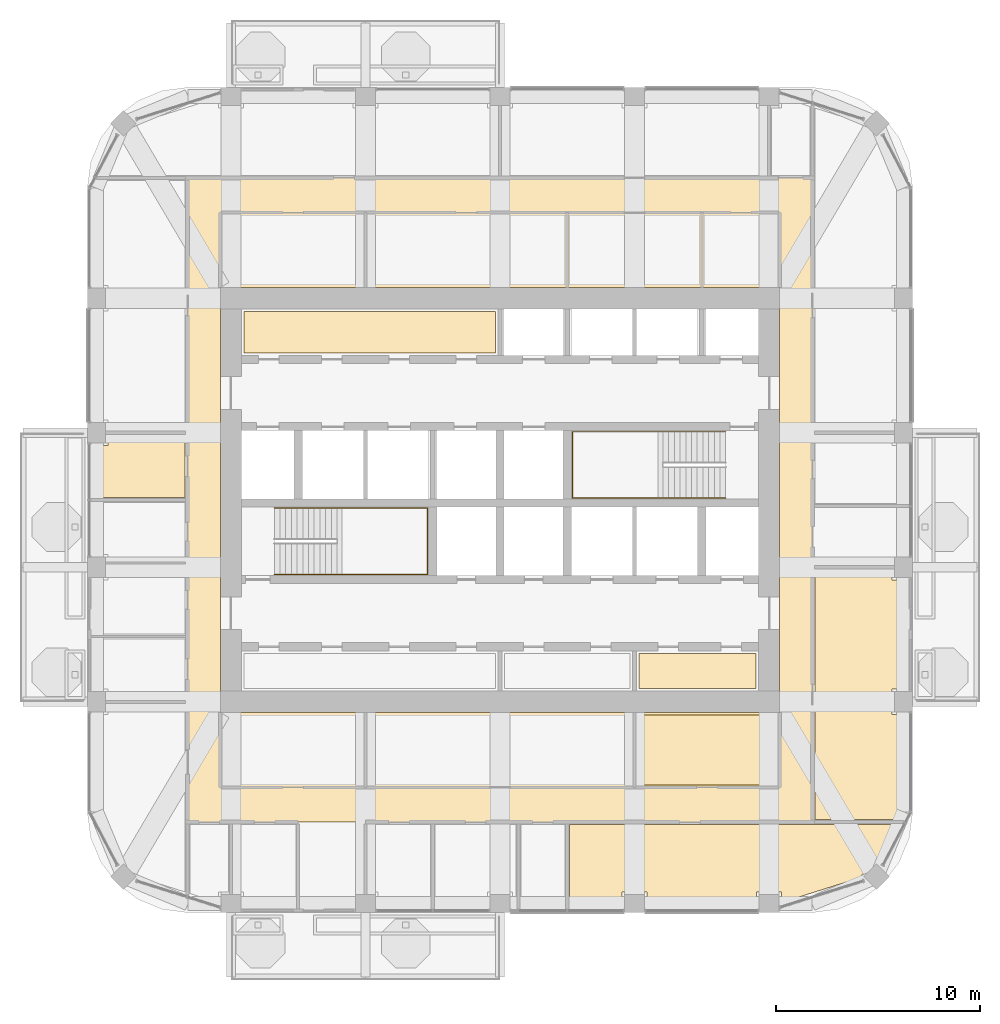
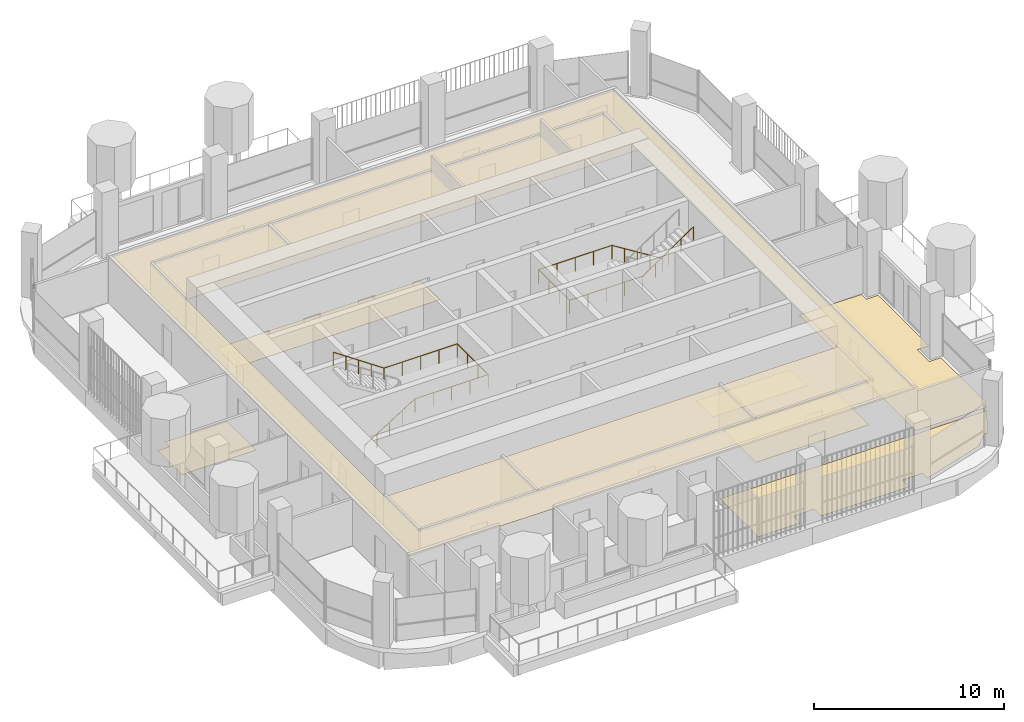
# One storey, part 17 of 19: 7 coverings, 2 railings.
"""IFC4 building model written with IfcOpenShell, lengths in metres."""

from ifc_helpers import new_model, si_unit, direction, frame, origin, place, context, subcontext, project, spatial, polyline, outline, extrude, material, layer, layer_set, type_object, element, save


model = new_model("IFC4")

# Units and contexts
model_context = context("Model", 3, precision=1e-05, world=origin(), true_north=direction((0.0, 1.0)))
body_context = subcontext(model_context, "Body", "Model", "MODEL_VIEW")
ifc_project = project(units=[si_unit("LENGTHUNIT", "METRE"), si_unit("AREAUNIT", "SQUARE_METRE"), si_unit("VOLUMEUNIT", "CUBIC_METRE"), si_unit("PLANEANGLEUNIT", "RADIAN"), si_unit("MASSUNIT", "GRAM", prefix="KILO")], contexts=[model_context])

# Site, building, storey
site_placement = place(None, origin())
site = spatial("IfcSite", under=ifc_project, at=site_placement, CompositionType="ELEMENT")
building_placement = place(site_placement, origin())
building = spatial("IfcBuilding", under=site, at=building_placement, Name="Cobogo Forest Laboratory Tower", CompositionType="ELEMENT")
storey_placement = place(building_placement, frame((0.0, 0.0, 262.800048828125)))
storey = spatial("IfcBuildingStorey", under=building, at=storey_placement, Name="L60", CompositionType="ELEMENT", Elevation=262.800048828125)

# Coverings
ifc_material_1 = material(Name="Mineral fibre ceiling tile", Category="ceiling")
ifc_layer_1 = layer(ifc_material_1, 0.02001953125)
ifc_layer_set_1 = layer_set([ifc_layer_1], Name="CL1 suspended ceiling")
covering_type_1 = type_object("IfcCoveringType", Name="CL1 suspended ceiling", PredefinedType="CEILING", material=ifc_layer_set_1)
covering_1_placement = place(storey_placement, frame((0.0, 0.0, 2.800048828125)))
element("IfcCovering", 1, at=covering_1_placement, inside=storey, type_object=covering_type_1, Name="Corridor ceiling L60", PredefinedType="CEILING", context=body_context, shape_type="SweptSolid", body=[
    extrude(outline(polyline([(11.074951171875, 7.300048828125), (11.074951171875, 38.89990234375), (41.72509765625, 38.89990234375), (41.72509765625, 7.300048828125), (11.074951171875, 7.300048828125)]), holes=[polyline([(40.125, 33.52490234375), (12.675048828125, 33.52490234375), (12.675048828125, 12.675048828125), (40.125, 12.675048828125), (40.125, 33.52490234375)])]), origin(), (0.0, 0.0, 1.0), 0.02001953125),
])
ifc_material_2 = material(Name="Carpet tile on raised access floor", Category="flooring")
ifc_layer_2 = layer(ifc_material_2, 0.008056640625)
ifc_layer_set_2 = layer_set([ifc_layer_2], Name="CT1 carpet tile floor 8")
covering_type_2 = type_object("IfcCoveringType", Name="CT1 carpet tile floor 8", PredefinedType="FLOORING", material=ifc_layer_set_2)
covering_2_placement = place(storey_placement, origin())
element("IfcCovering", 2, at=covering_2_placement, inside=storey, type_object=covering_type_2, Name="Carpet floor L60-07", PredefinedType="FLOORING", context=body_context, shape_type="SweptSolid", body=[
    extrude(outline(polyline([(40.0048828125, 9.1201171875), (33.1201171875, 9.1201171875), (33.1201171875, 12.554931640625), (40.0048828125, 12.554931640625), (40.0048828125, 9.1201171875)])), origin(), (0.0, 0.0, 1.0), 0.008056640625),
])
covering_3_placement = place(storey_placement, origin())
element("IfcCovering", 3, at=covering_3_placement, inside=storey, type_object=covering_type_2, Name="Carpet floor L60-13", PredefinedType="FLOORING", context=body_context, shape_type="SweptSolid", body=[
    extrude(outline(polyline([(44.10986328125, 4.583984375), (40.219970703125, 3.35546875), (40.219970703125, 3.8701171875), (38.97998046875, 3.8701171875), (38.97998046875, 3.14990234375), (33.6201171875, 3.14990234375), (33.6201171875, 3.8701171875), (32.3798828125, 3.8701171875), (32.3798828125, 3.14990234375), (29.820068359375, 3.14990234375), (29.820068359375, 7.179931640625), (45.999267578125, 7.179931640625), (45.010986328125, 5.294921875), (44.882080078125, 5.424072265625), (44.075927734375, 4.617919921875), (44.10986328125, 4.583984375)])), origin(), (0.0, 0.0, 1.0), 0.008056640625),
])
covering_4_placement = place(storey_placement, origin())
element("IfcCovering", 4, at=covering_4_placement, inside=storey, type_object=covering_type_2, Name="Carpet floor L60-14", PredefinedType="FLOORING", context=body_context, shape_type="SweptSolid", body=[
    extrude(outline(polyline([(41.844970703125, 19.679931640625), (45.6298828125, 19.679931640625), (45.6298828125, 19.179931640625), (46.35009765625, 19.179931640625), (46.35009765625, 13.820068359375), (45.6298828125, 13.820068359375), (45.6298828125, 12.580078125), (46.35009765625, 12.580078125), (46.35009765625, 7.84912109375), (46.125, 7.419921875), (41.844970703125, 7.419921875), (41.844970703125, 19.679931640625)])), origin(), (0.0, 0.0, 1.0), 0.008056640625),
])
covering_5_placement = place(storey_placement, origin())
element("IfcCovering", 5, at=covering_5_placement, inside=storey, type_object=covering_type_2, Name="Carpet floor L60-25", PredefinedType="FLOORING", context=body_context, shape_type="SweptSolid", body=[
    extrude(outline(polyline([(10.955078125, 23.219970703125), (6.449951171875, 23.219970703125), (6.449951171875, 25.780029296875), (7.169921875, 25.780029296875), (7.169921875, 26.280029296875), (10.955078125, 26.280029296875), (10.955078125, 23.219970703125)])), origin(), (0.0, 0.0, 1.0), 0.008056640625),
])
covering_6_placement = place(storey_placement, origin())
element("IfcCovering", 6, at=covering_6_placement, inside=storey, type_object=covering_type_2, Name="Carpet floor L60-37", PredefinedType="FLOORING", context=body_context, shape_type="SweptSolid", body=[
    extrude(outline(polyline([(26.179931640625, 30.320068359375), (13.844970703125, 30.320068359375), (13.844970703125, 32.35498046875), (26.179931640625, 32.35498046875), (26.179931640625, 30.320068359375)])), origin(), (0.0, 0.0, 1.0), 0.008056640625),
])

# Railings
ifc_material_3 = material(Name="Stainless steel handrail", Category="steel")
railing_type = type_object("IfcRailingType", Name="HR handrail 900", PredefinedType="HANDRAIL", material=ifc_material_3)
railing_1_placement = place(storey_placement, frame((15.324951171875, 19.449951171875, 0.175048828125)))
element("IfcRailing", 7, at=railing_1_placement, inside=storey, type_object=railing_type, Name="Stair handrail ST1 L60", PredefinedType="HANDRAIL", context=body_context, shape_type="SweptSolid", body=[
    extrude(outline(polyline([(0.022216796875, 0.00927734375), (0.00927734375, 0.022216796875), (-0.00927734375, 0.022216796875), (-0.022216796875, 0.00927734375), (-0.022216796875, -0.00927734375), (-0.00927734375, -0.022216796875), (0.00927734375, -0.022216796875), (0.022216796875, -0.00927734375), (0.022216796875, 0.00927734375)])), frame((0.0, 0.0, 0.877685546875), z_axis=(0.848028513186, 0.0, 0.529950602248), x_axis=(0.0, 1.0, 0.0)), (0.0, 0.0, 1.0), 3.632080078125),
    extrude(outline(polyline([(0.022216796875, 0.00927734375), (0.00927734375, 0.022216796875), (-0.00927734375, 0.022216796875), (-0.022216796875, 0.00927734375), (-0.022216796875, -0.00927734375), (-0.00927734375, -0.022216796875), (0.00927734375, -0.022216796875), (0.022216796875, -0.00927734375), (0.022216796875, 0.00927734375)])), frame((3.080078125, 0.0, 2.802490234375), z_axis=(1.0, 0.0, 0.0), x_axis=(0.0, 1.0, 0.0)), (0.0, 0.0, 1.0), 4.445068359375),
    extrude(outline(polyline([(0.022216796875, 0.00927734375), (0.00927734375, 0.022216796875), (-0.00927734375, 0.022216796875), (-0.022216796875, 0.00927734375), (-0.022216796875, -0.00927734375), (-0.00927734375, -0.022216796875), (0.00927734375, -0.022216796875), (0.022216796875, -0.00927734375), (0.022216796875, 0.00927734375)])), frame((7.525146484375, 0.0, 2.802490234375), z_axis=(0.0, 1.0, 0.0), x_axis=(-1.0, 0.0, 0.0)), (0.0, 0.0, 1.0), 3.25),
    extrude(outline(polyline([(0.022216796875, 0.00927734375), (0.00927734375, 0.022216796875), (-0.00927734375, 0.022216796875), (-0.022216796875, 0.00927734375), (-0.022216796875, -0.00927734375), (-0.00927734375, -0.022216796875), (0.00927734375, -0.022216796875), (0.022216796875, -0.00927734375), (0.022216796875, 0.00927734375)])), frame((7.525146484375, 3.25, 2.802490234375), z_axis=(-1.0, 0.0, 0.0), x_axis=(0.0, -1.0, 0.0)), (0.0, 0.0, 1.0), 4.445068359375),
    extrude(outline(polyline([(0.022216796875, 0.00927734375), (0.00927734375, 0.022216796875), (-0.00927734375, 0.022216796875), (-0.022216796875, 0.00927734375), (-0.022216796875, -0.00927734375), (-0.00927734375, -0.022216796875), (0.00927734375, -0.022216796875), (0.022216796875, -0.00927734375), (0.022216796875, 0.00927734375)])), frame((3.080078125, 3.25, 2.802490234375), z_axis=(-0.826221800596, 0.0, 0.563344953133), x_axis=(0.0, -1.0, 0.0)), (0.0, 0.0, 1.0), 3.72802734375),
    extrude(outline(polyline([(0.019287109375, 0.008056640625), (0.008056640625, 0.019287109375), (-0.008056640625, 0.019287109375), (-0.019287109375, 0.008056640625), (-0.019287109375, -0.008056640625), (-0.008056640625, -0.019287109375), (0.008056640625, -0.019287109375), (0.019287109375, -0.008056640625), (0.019287109375, 0.008056640625)])), origin(), (0.0, 0.0, 1.0), 0.877685546875),
    extrude(outline(polyline([(0.019287109375, 0.008056640625), (0.008056640625, 0.019287109375), (-0.008056640625, 0.019287109375), (-0.019287109375, 0.008056640625), (-0.019287109375, -0.008056640625), (-0.008056640625, -0.019287109375), (0.008056640625, -0.019287109375), (0.019287109375, -0.008056640625), (0.019287109375, 0.008056640625)])), frame((0.77001953125, 0.0, 0.481201171875)), (0.0, 0.0, 1.0), 0.877685546875),
    extrude(outline(polyline([(0.019287109375, 0.008056640625), (0.008056640625, 0.019287109375), (-0.008056640625, 0.019287109375), (-0.019287109375, 0.008056640625), (-0.019287109375, -0.008056640625), (-0.008056640625, -0.019287109375), (0.008056640625, -0.019287109375), (0.019287109375, -0.008056640625), (0.019287109375, 0.008056640625)])), frame((1.5400390625, 0.0, 0.96240234375)), (0.0, 0.0, 1.0), 0.877685546875),
    extrude(outline(polyline([(0.019287109375, 0.008056640625), (0.008056640625, 0.019287109375), (-0.008056640625, 0.019287109375), (-0.019287109375, 0.008056640625), (-0.019287109375, -0.008056640625), (-0.008056640625, -0.019287109375), (0.008056640625, -0.019287109375), (0.019287109375, -0.008056640625), (0.019287109375, 0.008056640625)])), frame((2.31005859375, 0.0, 1.443603515625)), (0.0, 0.0, 1.0), 0.877685546875),
    extrude(outline(polyline([(0.019287109375, 0.008056640625), (0.008056640625, 0.019287109375), (-0.008056640625, 0.019287109375), (-0.019287109375, 0.008056640625), (-0.019287109375, -0.008056640625), (-0.008056640625, -0.019287109375), (0.008056640625, -0.019287109375), (0.019287109375, -0.008056640625), (0.019287109375, 0.008056640625)])), frame((3.080078125, 0.0, 1.9248046875)), (0.0, 0.0, 1.0), 0.877685546875),
    extrude(outline(polyline([(0.019287109375, 0.008056640625), (0.008056640625, 0.019287109375), (-0.008056640625, 0.019287109375), (-0.019287109375, 0.008056640625), (-0.019287109375, -0.008056640625), (-0.008056640625, -0.019287109375), (0.008056640625, -0.019287109375), (0.019287109375, -0.008056640625), (0.019287109375, 0.008056640625)])), frame((4.19140625, 0.0, 1.9248046875)), (0.0, 0.0, 1.0), 0.877685546875),
    extrude(outline(polyline([(0.019287109375, 0.008056640625), (0.008056640625, 0.019287109375), (-0.008056640625, 0.019287109375), (-0.019287109375, 0.008056640625), (-0.019287109375, -0.008056640625), (-0.008056640625, -0.019287109375), (0.008056640625, -0.019287109375), (0.019287109375, -0.008056640625), (0.019287109375, 0.008056640625)])), frame((5.302734375, 0.0, 1.9248046875)), (0.0, 0.0, 1.0), 0.877685546875),
    extrude(outline(polyline([(0.019287109375, 0.008056640625), (0.008056640625, 0.019287109375), (-0.008056640625, 0.019287109375), (-0.019287109375, 0.008056640625), (-0.019287109375, -0.008056640625), (-0.008056640625, -0.019287109375), (0.008056640625, -0.019287109375), (0.019287109375, -0.008056640625), (0.019287109375, 0.008056640625)])), frame((6.413818359375, 0.0, 1.9248046875)), (0.0, 0.0, 1.0), 0.877685546875),
    extrude(outline(polyline([(0.019287109375, 0.008056640625), (0.008056640625, 0.019287109375), (-0.008056640625, 0.019287109375), (-0.019287109375, 0.008056640625), (-0.019287109375, -0.008056640625), (-0.008056640625, -0.019287109375), (0.008056640625, -0.019287109375), (0.019287109375, -0.008056640625), (0.019287109375, 0.008056640625)])), frame((7.525146484375, 0.0, 1.9248046875)), (0.0, 0.0, 1.0), 0.877685546875),
    extrude(outline(polyline([(0.019287109375, 0.008056640625), (0.008056640625, 0.019287109375), (-0.008056640625, 0.019287109375), (-0.019287109375, 0.008056640625), (-0.019287109375, -0.008056640625), (-0.008056640625, -0.019287109375), (0.008056640625, -0.019287109375), (0.019287109375, -0.008056640625), (0.019287109375, 0.008056640625)])), frame((7.525146484375, 1.083251953125, 1.9248046875)), (0.0, 0.0, 1.0), 0.877685546875),
    extrude(outline(polyline([(0.019287109375, 0.008056640625), (0.008056640625, 0.019287109375), (-0.008056640625, 0.019287109375), (-0.019287109375, 0.008056640625), (-0.019287109375, -0.008056640625), (-0.008056640625, -0.019287109375), (0.008056640625, -0.019287109375), (0.019287109375, -0.008056640625), (0.019287109375, 0.008056640625)])), frame((7.525146484375, 2.166748046875, 1.9248046875)), (0.0, 0.0, 1.0), 0.877685546875),
    extrude(outline(polyline([(0.019287109375, 0.008056640625), (0.008056640625, 0.019287109375), (-0.008056640625, 0.019287109375), (-0.019287109375, 0.008056640625), (-0.019287109375, -0.008056640625), (-0.008056640625, -0.019287109375), (0.008056640625, -0.019287109375), (0.019287109375, -0.008056640625), (0.019287109375, 0.008056640625)])), frame((7.525146484375, 3.25, 1.9248046875)), (0.0, 0.0, 1.0), 0.877685546875),
    extrude(outline(polyline([(0.019287109375, 0.008056640625), (0.008056640625, 0.019287109375), (-0.008056640625, 0.019287109375), (-0.019287109375, 0.008056640625), (-0.019287109375, -0.008056640625), (-0.008056640625, -0.019287109375), (0.008056640625, -0.019287109375), (0.019287109375, -0.008056640625), (0.019287109375, 0.008056640625)])), frame((6.413818359375, 3.25, 1.9248046875)), (0.0, 0.0, 1.0), 0.877685546875),
    extrude(outline(polyline([(0.019287109375, 0.008056640625), (0.008056640625, 0.019287109375), (-0.008056640625, 0.019287109375), (-0.019287109375, 0.008056640625), (-0.019287109375, -0.008056640625), (-0.008056640625, -0.019287109375), (0.008056640625, -0.019287109375), (0.019287109375, -0.008056640625), (0.019287109375, 0.008056640625)])), frame((5.302734375, 3.25, 1.9248046875)), (0.0, 0.0, 1.0), 0.877685546875),
    extrude(outline(polyline([(0.019287109375, 0.008056640625), (0.008056640625, 0.019287109375), (-0.008056640625, 0.019287109375), (-0.019287109375, 0.008056640625), (-0.019287109375, -0.008056640625), (-0.008056640625, -0.019287109375), (0.008056640625, -0.019287109375), (0.019287109375, -0.008056640625), (0.019287109375, 0.008056640625)])), frame((4.19140625, 3.25, 1.9248046875)), (0.0, 0.0, 1.0), 0.877685546875),
    extrude(outline(polyline([(0.019287109375, 0.008056640625), (0.008056640625, 0.019287109375), (-0.008056640625, 0.019287109375), (-0.019287109375, 0.008056640625), (-0.019287109375, -0.008056640625), (-0.008056640625, -0.019287109375), (0.008056640625, -0.019287109375), (0.019287109375, -0.008056640625), (0.019287109375, 0.008056640625)])), frame((3.080078125, 3.25, 1.9248046875)), (0.0, 0.0, 1.0), 0.877685546875),
    extrude(outline(polyline([(0.019287109375, 0.008056640625), (0.008056640625, 0.019287109375), (-0.008056640625, 0.019287109375), (-0.019287109375, 0.008056640625), (-0.019287109375, -0.008056640625), (-0.008056640625, -0.019287109375), (0.008056640625, -0.019287109375), (0.019287109375, -0.008056640625), (0.019287109375, 0.008056640625)])), frame((2.31005859375, 3.25, 2.44970703125)), (0.0, 0.0, 1.0), 0.877685546875),
    extrude(outline(polyline([(0.019287109375, 0.008056640625), (0.008056640625, 0.019287109375), (-0.008056640625, 0.019287109375), (-0.019287109375, 0.008056640625), (-0.019287109375, -0.008056640625), (-0.008056640625, -0.019287109375), (0.008056640625, -0.019287109375), (0.019287109375, -0.008056640625), (0.019287109375, 0.008056640625)])), frame((1.5400390625, 3.25, 2.974853515625)), (0.0, 0.0, 1.0), 0.877685546875),
    extrude(outline(polyline([(0.019287109375, 0.008056640625), (0.008056640625, 0.019287109375), (-0.008056640625, 0.019287109375), (-0.019287109375, 0.008056640625), (-0.019287109375, -0.008056640625), (-0.008056640625, -0.019287109375), (0.008056640625, -0.019287109375), (0.019287109375, -0.008056640625), (0.019287109375, 0.008056640625)])), frame((0.77001953125, 3.25, 3.5)), (0.0, 0.0, 1.0), 0.877685546875),
    extrude(outline(polyline([(0.019287109375, 0.008056640625), (0.008056640625, 0.019287109375), (-0.008056640625, 0.019287109375), (-0.019287109375, 0.008056640625), (-0.019287109375, -0.008056640625), (-0.008056640625, -0.019287109375), (0.008056640625, -0.019287109375), (0.019287109375, -0.008056640625), (0.019287109375, 0.008056640625)])), frame((0.0, 3.25, 4.02490234375)), (0.0, 0.0, 1.0), 0.877685546875),
])
railing_2_placement = place(storey_placement, frame((37.47509765625, 26.449951171875, 0.175048828125)))
element("IfcRailing", 8, at=railing_2_placement, inside=storey, type_object=railing_type, Name="Stair handrail ST2 L60", PredefinedType="HANDRAIL", context=body_context, shape_type="SweptSolid", body=[
    extrude(outline(polyline([(0.022216796875, 0.00927734375), (0.00927734375, 0.022216796875), (-0.00927734375, 0.022216796875), (-0.022216796875, 0.00927734375), (-0.022216796875, -0.00927734375), (-0.00927734375, -0.022216796875), (0.00927734375, -0.022216796875), (0.022216796875, -0.00927734375), (0.022216796875, 0.00927734375)])), frame((0.0, 0.0, 0.877685546875), z_axis=(-0.848028513186, 0.0, 0.529950602248), x_axis=(0.0, -1.0, 0.0)), (0.0, 0.0, 1.0), 3.632080078125),
    extrude(outline(polyline([(0.022216796875, 0.00927734375), (0.00927734375, 0.022216796875), (-0.00927734375, 0.022216796875), (-0.022216796875, 0.00927734375), (-0.022216796875, -0.00927734375), (-0.00927734375, -0.022216796875), (0.00927734375, -0.022216796875), (0.022216796875, -0.00927734375), (0.022216796875, 0.00927734375)])), frame((-3.080078125, 0.0, 2.802490234375), z_axis=(-1.0, 0.0, 0.0), x_axis=(0.0, -1.0, 0.0)), (0.0, 0.0, 1.0), 4.445068359375),
    extrude(outline(polyline([(0.022216796875, 0.00927734375), (0.00927734375, 0.022216796875), (-0.00927734375, 0.022216796875), (-0.022216796875, 0.00927734375), (-0.022216796875, -0.00927734375), (-0.00927734375, -0.022216796875), (0.00927734375, -0.022216796875), (0.022216796875, -0.00927734375), (0.022216796875, 0.00927734375)])), frame((-7.525146484375, 0.0, 2.802490234375), z_axis=(0.0, -1.0, 0.0), x_axis=(1.0, 0.0, 0.0)), (0.0, 0.0, 1.0), 3.25),
    extrude(outline(polyline([(0.022216796875, 0.00927734375), (0.00927734375, 0.022216796875), (-0.00927734375, 0.022216796875), (-0.022216796875, 0.00927734375), (-0.022216796875, -0.00927734375), (-0.00927734375, -0.022216796875), (0.00927734375, -0.022216796875), (0.022216796875, -0.00927734375), (0.022216796875, 0.00927734375)])), frame((-7.525146484375, -3.25, 2.802490234375), z_axis=(1.0, 0.0, 0.0), x_axis=(0.0, 1.0, 0.0)), (0.0, 0.0, 1.0), 4.445068359375),
    extrude(outline(polyline([(0.022216796875, 0.00927734375), (0.00927734375, 0.022216796875), (-0.00927734375, 0.022216796875), (-0.022216796875, 0.00927734375), (-0.022216796875, -0.00927734375), (-0.00927734375, -0.022216796875), (0.00927734375, -0.022216796875), (0.022216796875, -0.00927734375), (0.022216796875, 0.00927734375)])), frame((-3.080078125, -3.25, 2.802490234375), z_axis=(0.826221800596, 0.0, 0.563344953133), x_axis=(0.0, 1.0, 0.0)), (0.0, 0.0, 1.0), 3.72802734375),
    extrude(outline(polyline([(0.019287109375, 0.008056640625), (0.008056640625, 0.019287109375), (-0.008056640625, 0.019287109375), (-0.019287109375, 0.008056640625), (-0.019287109375, -0.008056640625), (-0.008056640625, -0.019287109375), (0.008056640625, -0.019287109375), (0.019287109375, -0.008056640625), (0.019287109375, 0.008056640625)])), origin(), (0.0, 0.0, 1.0), 0.877685546875),
    extrude(outline(polyline([(0.019287109375, 0.008056640625), (0.008056640625, 0.019287109375), (-0.008056640625, 0.019287109375), (-0.019287109375, 0.008056640625), (-0.019287109375, -0.008056640625), (-0.008056640625, -0.019287109375), (0.008056640625, -0.019287109375), (0.019287109375, -0.008056640625), (0.019287109375, 0.008056640625)])), frame((-0.77001953125, 0.0, 0.481201171875)), (0.0, 0.0, 1.0), 0.877685546875),
    extrude(outline(polyline([(0.019287109375, 0.008056640625), (0.008056640625, 0.019287109375), (-0.008056640625, 0.019287109375), (-0.019287109375, 0.008056640625), (-0.019287109375, -0.008056640625), (-0.008056640625, -0.019287109375), (0.008056640625, -0.019287109375), (0.019287109375, -0.008056640625), (0.019287109375, 0.008056640625)])), frame((-1.5400390625, 0.0, 0.96240234375)), (0.0, 0.0, 1.0), 0.877685546875),
    extrude(outline(polyline([(0.019287109375, 0.008056640625), (0.008056640625, 0.019287109375), (-0.008056640625, 0.019287109375), (-0.019287109375, 0.008056640625), (-0.019287109375, -0.008056640625), (-0.008056640625, -0.019287109375), (0.008056640625, -0.019287109375), (0.019287109375, -0.008056640625), (0.019287109375, 0.008056640625)])), frame((-2.31005859375, 0.0, 1.443603515625)), (0.0, 0.0, 1.0), 0.877685546875),
    extrude(outline(polyline([(0.019287109375, 0.008056640625), (0.008056640625, 0.019287109375), (-0.008056640625, 0.019287109375), (-0.019287109375, 0.008056640625), (-0.019287109375, -0.008056640625), (-0.008056640625, -0.019287109375), (0.008056640625, -0.019287109375), (0.019287109375, -0.008056640625), (0.019287109375, 0.008056640625)])), frame((-3.080078125, 0.0, 1.9248046875)), (0.0, 0.0, 1.0), 0.877685546875),
    extrude(outline(polyline([(0.019287109375, 0.008056640625), (0.008056640625, 0.019287109375), (-0.008056640625, 0.019287109375), (-0.019287109375, 0.008056640625), (-0.019287109375, -0.008056640625), (-0.008056640625, -0.019287109375), (0.008056640625, -0.019287109375), (0.019287109375, -0.008056640625), (0.019287109375, 0.008056640625)])), frame((-4.19140625, 0.0, 1.9248046875)), (0.0, 0.0, 1.0), 0.877685546875),
    extrude(outline(polyline([(0.019287109375, 0.008056640625), (0.008056640625, 0.019287109375), (-0.008056640625, 0.019287109375), (-0.019287109375, 0.008056640625), (-0.019287109375, -0.008056640625), (-0.008056640625, -0.019287109375), (0.008056640625, -0.019287109375), (0.019287109375, -0.008056640625), (0.019287109375, 0.008056640625)])), frame((-5.302734375, 0.0, 1.9248046875)), (0.0, 0.0, 1.0), 0.877685546875),
    extrude(outline(polyline([(0.019287109375, 0.008056640625), (0.008056640625, 0.019287109375), (-0.008056640625, 0.019287109375), (-0.019287109375, 0.008056640625), (-0.019287109375, -0.008056640625), (-0.008056640625, -0.019287109375), (0.008056640625, -0.019287109375), (0.019287109375, -0.008056640625), (0.019287109375, 0.008056640625)])), frame((-6.413818359375, 0.0, 1.9248046875)), (0.0, 0.0, 1.0), 0.877685546875),
    extrude(outline(polyline([(0.019287109375, 0.008056640625), (0.008056640625, 0.019287109375), (-0.008056640625, 0.019287109375), (-0.019287109375, 0.008056640625), (-0.019287109375, -0.008056640625), (-0.008056640625, -0.019287109375), (0.008056640625, -0.019287109375), (0.019287109375, -0.008056640625), (0.019287109375, 0.008056640625)])), frame((-7.525146484375, 0.0, 1.9248046875)), (0.0, 0.0, 1.0), 0.877685546875),
    extrude(outline(polyline([(0.019287109375, 0.008056640625), (0.008056640625, 0.019287109375), (-0.008056640625, 0.019287109375), (-0.019287109375, 0.008056640625), (-0.019287109375, -0.008056640625), (-0.008056640625, -0.019287109375), (0.008056640625, -0.019287109375), (0.019287109375, -0.008056640625), (0.019287109375, 0.008056640625)])), frame((-7.525146484375, -1.083251953125, 1.9248046875)), (0.0, 0.0, 1.0), 0.877685546875),
    extrude(outline(polyline([(0.019287109375, 0.008056640625), (0.008056640625, 0.019287109375), (-0.008056640625, 0.019287109375), (-0.019287109375, 0.008056640625), (-0.019287109375, -0.008056640625), (-0.008056640625, -0.019287109375), (0.008056640625, -0.019287109375), (0.019287109375, -0.008056640625), (0.019287109375, 0.008056640625)])), frame((-7.525146484375, -2.166748046875, 1.9248046875)), (0.0, 0.0, 1.0), 0.877685546875),
    extrude(outline(polyline([(0.019287109375, 0.008056640625), (0.008056640625, 0.019287109375), (-0.008056640625, 0.019287109375), (-0.019287109375, 0.008056640625), (-0.019287109375, -0.008056640625), (-0.008056640625, -0.019287109375), (0.008056640625, -0.019287109375), (0.019287109375, -0.008056640625), (0.019287109375, 0.008056640625)])), frame((-7.525146484375, -3.25, 1.9248046875)), (0.0, 0.0, 1.0), 0.877685546875),
    extrude(outline(polyline([(0.019287109375, 0.008056640625), (0.008056640625, 0.019287109375), (-0.008056640625, 0.019287109375), (-0.019287109375, 0.008056640625), (-0.019287109375, -0.008056640625), (-0.008056640625, -0.019287109375), (0.008056640625, -0.019287109375), (0.019287109375, -0.008056640625), (0.019287109375, 0.008056640625)])), frame((-6.413818359375, -3.25, 1.9248046875)), (0.0, 0.0, 1.0), 0.877685546875),
    extrude(outline(polyline([(0.019287109375, 0.008056640625), (0.008056640625, 0.019287109375), (-0.008056640625, 0.019287109375), (-0.019287109375, 0.008056640625), (-0.019287109375, -0.008056640625), (-0.008056640625, -0.019287109375), (0.008056640625, -0.019287109375), (0.019287109375, -0.008056640625), (0.019287109375, 0.008056640625)])), frame((-5.302734375, -3.25, 1.9248046875)), (0.0, 0.0, 1.0), 0.877685546875),
    extrude(outline(polyline([(0.019287109375, 0.008056640625), (0.008056640625, 0.019287109375), (-0.008056640625, 0.019287109375), (-0.019287109375, 0.008056640625), (-0.019287109375, -0.008056640625), (-0.008056640625, -0.019287109375), (0.008056640625, -0.019287109375), (0.019287109375, -0.008056640625), (0.019287109375, 0.008056640625)])), frame((-4.19140625, -3.25, 1.9248046875)), (0.0, 0.0, 1.0), 0.877685546875),
    extrude(outline(polyline([(0.019287109375, 0.008056640625), (0.008056640625, 0.019287109375), (-0.008056640625, 0.019287109375), (-0.019287109375, 0.008056640625), (-0.019287109375, -0.008056640625), (-0.008056640625, -0.019287109375), (0.008056640625, -0.019287109375), (0.019287109375, -0.008056640625), (0.019287109375, 0.008056640625)])), frame((-3.080078125, -3.25, 1.9248046875)), (0.0, 0.0, 1.0), 0.877685546875),
    extrude(outline(polyline([(0.019287109375, 0.008056640625), (0.008056640625, 0.019287109375), (-0.008056640625, 0.019287109375), (-0.019287109375, 0.008056640625), (-0.019287109375, -0.008056640625), (-0.008056640625, -0.019287109375), (0.008056640625, -0.019287109375), (0.019287109375, -0.008056640625), (0.019287109375, 0.008056640625)])), frame((-2.31005859375, -3.25, 2.44970703125)), (0.0, 0.0, 1.0), 0.877685546875),
    extrude(outline(polyline([(0.019287109375, 0.008056640625), (0.008056640625, 0.019287109375), (-0.008056640625, 0.019287109375), (-0.019287109375, 0.008056640625), (-0.019287109375, -0.008056640625), (-0.008056640625, -0.019287109375), (0.008056640625, -0.019287109375), (0.019287109375, -0.008056640625), (0.019287109375, 0.008056640625)])), frame((-1.5400390625, -3.25, 2.974853515625)), (0.0, 0.0, 1.0), 0.877685546875),
    extrude(outline(polyline([(0.019287109375, 0.008056640625), (0.008056640625, 0.019287109375), (-0.008056640625, 0.019287109375), (-0.019287109375, 0.008056640625), (-0.019287109375, -0.008056640625), (-0.008056640625, -0.019287109375), (0.008056640625, -0.019287109375), (0.019287109375, -0.008056640625), (0.019287109375, 0.008056640625)])), frame((-0.77001953125, -3.25, 3.5)), (0.0, 0.0, 1.0), 0.877685546875),
    extrude(outline(polyline([(0.019287109375, 0.008056640625), (0.008056640625, 0.019287109375), (-0.008056640625, 0.019287109375), (-0.019287109375, 0.008056640625), (-0.019287109375, -0.008056640625), (-0.008056640625, -0.019287109375), (0.008056640625, -0.019287109375), (0.019287109375, -0.008056640625), (0.019287109375, 0.008056640625)])), frame((0.0, -3.25, 4.02490234375)), (0.0, 0.0, 1.0), 0.877685546875),
])

# Covering
ifc_material_4 = material(Name="Ceramic floor tile", Category="flooring")
ifc_layer_3 = layer(ifc_material_4, 0.010009765625)
ifc_layer_set_3 = layer_set([ifc_layer_3], Name="TF1 ceramic tile floor 10")
covering_type_3 = type_object("IfcCoveringType", Name="TF1 ceramic tile floor 10", PredefinedType="FLOORING", material=ifc_layer_set_3)
covering_7_placement = place(storey_placement, origin())
element("IfcCovering", 9, at=covering_7_placement, inside=storey, type_object=covering_type_3, Name="Tile floor L60-36", PredefinedType="FLOORING", context=body_context, shape_type="SweptSolid", body=[
    extrude(outline(polyline([(38.955078125, 13.844970703125), (33.219970703125, 13.844970703125), (33.219970703125, 15.580078125), (38.955078125, 15.580078125), (38.955078125, 13.844970703125)])), origin(), (0.0, 0.0, 1.0), 0.010009765625),
])

save(model, "model.ifc")
